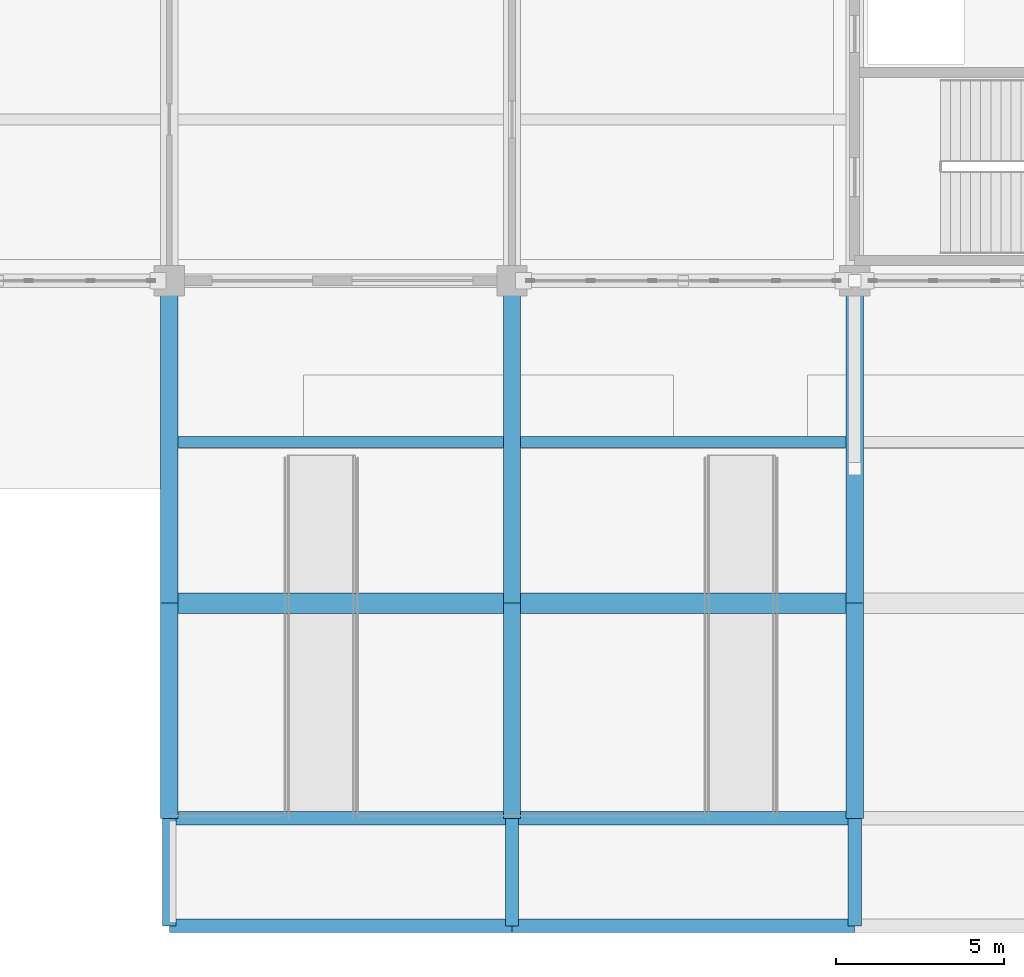
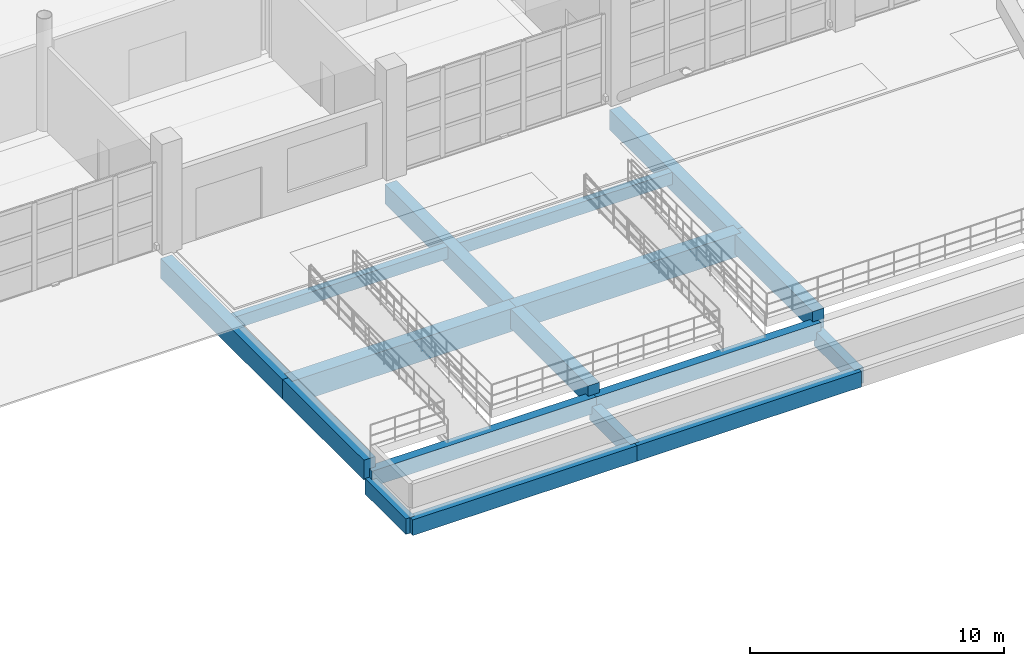
# One storey, part 33 of 124: 17 beams.
"""IFC4 building model written with IfcOpenShell, lengths in metres."""

from ifc_helpers import new_model, si_unit, direction, frame, origin, origin_2d, place, context, subcontext, project, spatial, rectangle, extrude, material, material_profile, profile_set, type_object, element, save


model = new_model("IFC4")

# Units and contexts
model_context = context("Model", 3, precision=1e-05, world=origin(), true_north=direction((0.0, 1.0)))
body_context = subcontext(model_context, "Body", "Model", "MODEL_VIEW")
ifc_project = project(units=[si_unit("LENGTHUNIT", "METRE"), si_unit("AREAUNIT", "SQUARE_METRE"), si_unit("VOLUMEUNIT", "CUBIC_METRE"), si_unit("PLANEANGLEUNIT", "RADIAN"), si_unit("MASSUNIT", "GRAM", prefix="KILO")], contexts=[model_context])

# Site, building, storey
site_placement = place(None, origin())
site = spatial("IfcSite", under=ifc_project, at=site_placement, CompositionType="ELEMENT")
building_placement = place(site_placement, origin())
building = spatial("IfcBuilding", under=site, at=building_placement, Name="Brelvane Convention Centre", CompositionType="ELEMENT")
storey_placement = place(building_placement, origin())
storey = spatial("IfcBuildingStorey", under=building, at=storey_placement, Name="L00", CompositionType="ELEMENT", Elevation=0.0)

# Beams
ifc_material_1 = material(Name="Concrete M50", Category="concrete")
ifc_material_profile_1 = material_profile(ifc_material_1, rectangle(XDim=0.60009765625, YDim=1.10009765625, at=origin_2d()), Name="RC 600x1100")
ifc_profile_set_1 = profile_set([ifc_material_profile_1], Name="Concrete M50")
beam_type_1 = type_object("IfcBeamType", Name="RC Beam B-RC2 (RC 600x1100)", PredefinedType="BEAM", material=ifc_profile_set_1)
for number, where, z_axis, x_axis, name in (
    (1, (102.0, 9.60009765625, -0.949951171875), (1.0, 0.0, 0.0), (0.0, 1.0, 0.0), "L00 Beam 11-12/B"),
    (2, (112.199951171875, 9.60009765625, -0.949951171875), (1.0, 0.0, 0.0), (0.0, 1.0, 0.0), "L00 Beam 12-13/B"),
):
    element("IfcBeam", number, at=place(storey_placement, frame(where, z_axis=z_axis, x_axis=x_axis)), inside=storey, type_object=beam_type_1, Name=name, PredefinedType="BEAM", context=body_context, shape_type="SweptSolid", body=[
        extrude(rectangle(XDim=0.60009765625, YDim=1.10009765625, at=origin_2d()), origin(), (0.0, 0.0, 1.0), 10.199951171875),
    ])
ifc_material_2 = material(Name="Concrete M50", Category="concrete")
ifc_material_profile_2 = material_profile(ifc_material_2, rectangle(XDim=0.52001953125, YDim=0.949951171875, at=origin_2d()), Name="RC 520x950")
ifc_profile_set_2 = profile_set([ifc_material_profile_2], Name="Concrete M50")
beam_type_2 = type_object("IfcBeamType", Name="RC Beam B-RC9 (RC 520x950)", PredefinedType="BEAM", material=ifc_profile_set_2)
for number, where, z_axis, x_axis, name in (
    (3, (102.0, 3.199951171875, -0.875), (0.0, 1.0, 0.0), (-1.0, 0.0, 0.0), "L00 Plaza Step Tie Girder 1"),
    (4, (112.199951171875, 3.199951171875, -0.875), (0.0, 1.0, 0.0), (-1.0, 0.0, 0.0), "L00 Plaza Step Tie Girder 2"),
    (5, (122.39990234375, 3.199951171875, -0.875), (0.0, 1.0, 0.0), (-1.0, 0.0, 0.0), "L00 Plaza Step Tie Girder 3"),
):
    element("IfcBeam", number, at=place(storey_placement, frame(where, z_axis=z_axis, x_axis=x_axis)), inside=storey, type_object=beam_type_2, Name=name, PredefinedType="BEAM", context=body_context, shape_type="SweptSolid", body=[
        extrude(rectangle(XDim=0.52001953125, YDim=0.949951171875, at=origin_2d()), origin(), (0.0, 0.0, 1.0), 6.400146484375),
    ])
for number, where, z_axis, x_axis, name in (
    (6, (102.0, 9.60009765625, -0.875), (0.0, 1.0, 0.0), (-1.0, 0.0, 0.0), "L00 Girder 11/B-C"),
    (7, (112.199951171875, 9.60009765625, -0.875), (0.0, 1.0, 0.0), (-1.0, 0.0, 0.0), "L00 Girder 12/B-C"),
    (8, (122.39990234375, 9.60009765625, -0.875), (0.0, 1.0, 0.0), (-1.0, 0.0, 0.0), "L00 Girder 13/B-C"),
):
    element("IfcBeam", number, at=place(storey_placement, frame(where, z_axis=z_axis, x_axis=x_axis)), inside=storey, type_object=beam_type_2, Name=name, PredefinedType="BEAM", context=body_context, shape_type="SweptSolid", body=[
        extrude(rectangle(XDim=0.52001953125, YDim=0.949951171875, at=origin_2d()), origin(), (0.0, 0.0, 1.0), 9.599853515625),
    ])
ifc_material_3 = material(Name="Concrete M40", Category="concrete")
ifc_material_profile_3 = material_profile(ifc_material_3, rectangle(XDim=0.320068359375, YDim=0.580078125, at=origin_2d()), Name="RC 320x580")
ifc_profile_set_3 = profile_set([ifc_material_profile_3], Name="Concrete M40")
beam_type_3 = type_object("IfcBeamType", Name="RC Joist J-RC3 (RC 320x580)", PredefinedType="JOIST", material=ifc_profile_set_3)
for number, where, z_axis, x_axis, name in (
    (9, (102.260009765625, 14.39990234375, -0.68994140625), (1.0, 0.0, 0.0), (0.0, 1.0, 0.0), "L00 Secondary Joist 11-12/BC"),
    (10, (112.4599609375, 14.39990234375, -0.68994140625), (1.0, 0.0, 0.0), (0.0, 1.0, 0.0), "L00 Secondary Joist 12-13/BC"),
):
    element("IfcBeam", number, at=place(storey_placement, frame(where, z_axis=z_axis, x_axis=x_axis)), inside=storey, type_object=beam_type_3, Name=name, PredefinedType="JOIST", context=body_context, shape_type="SweptSolid", body=[
        extrude(rectangle(XDim=0.320068359375, YDim=0.580078125, at=origin_2d()), origin(), (0.0, 0.0, 1.0), 9.679931640625),
    ])
ifc_material_4 = material(Name="Concrete M40", Category="concrete")
ifc_material_profile_4 = material_profile(ifc_material_4, rectangle(XDim=0.39990234375, YDim=0.75, at=origin_2d()), Name="RC 400x750")
ifc_profile_set_4 = profile_set([ifc_material_profile_4], Name="Concrete M40")
beam_type_4 = type_object("IfcBeamType", Name="RC Spandrel SP-RC1 (RC 400x750)", PredefinedType="SPANDREL", material=ifc_profile_set_4)
beam_1_placement = place(storey_placement, frame((102.0, 0.0, -1.675048828125), z_axis=(0.0, 1.0, 0.0), x_axis=(-1.0, 0.0, 0.0)))
element("IfcBeam", 11, at=beam_1_placement, inside=storey, type_object=beam_type_4, Name="L00 Lower Promenade Rib 1", PredefinedType="SPANDREL", context=body_context, shape_type="SweptSolid", body=[
    extrude(rectangle(XDim=0.39990234375, YDim=0.75, at=origin_2d()), origin(), (0.0, 0.0, 1.0), 3.199951171875),
])
for number, where, z_axis, x_axis, name in (
    (12, (102.0, 3.199951171875, -1.27490234375), (1.0, 0.0, 0.0), (0.0, 1.0, 0.0), "L00 Plaza Step Edge Spandrel 1"),
    (13, (102.0, 0.0, -1.675048828125), (1.0, 0.0, 0.0), (0.0, 1.0, 0.0), "L00 Lower Promenade Edge Spandrel 1"),
):
    element("IfcBeam", number, at=place(storey_placement, frame(where, z_axis=z_axis, x_axis=x_axis)), inside=storey, type_object=beam_type_4, Name=name, PredefinedType="SPANDREL", context=body_context, shape_type="SweptSolid", body=[
        extrude(rectangle(XDim=0.39990234375, YDim=0.75, at=origin_2d()), origin(), (0.0, 0.0, 1.0), 10.199951171875),
    ])
beam_2_placement = place(storey_placement, frame((112.199951171875, 0.0, -1.675048828125), z_axis=(0.0, 1.0, 0.0), x_axis=(-1.0, 0.0, 0.0)))
element("IfcBeam", 14, at=beam_2_placement, inside=storey, type_object=beam_type_4, Name="L00 Lower Promenade Rib 2", PredefinedType="SPANDREL", context=body_context, shape_type="SweptSolid", body=[
    extrude(rectangle(XDim=0.39990234375, YDim=0.75, at=origin_2d()), origin(), (0.0, 0.0, 1.0), 3.199951171875),
])
for number, where, z_axis, x_axis, name in (
    (15, (112.199951171875, 3.199951171875, -1.27490234375), (1.0, 0.0, 0.0), (0.0, 1.0, 0.0), "L00 Plaza Step Edge Spandrel 2"),
    (16, (112.199951171875, 0.0, -1.675048828125), (1.0, 0.0, 0.0), (0.0, 1.0, 0.0), "L00 Lower Promenade Edge Spandrel 2"),
):
    element("IfcBeam", number, at=place(storey_placement, frame(where, z_axis=z_axis, x_axis=x_axis)), inside=storey, type_object=beam_type_4, Name=name, PredefinedType="SPANDREL", context=body_context, shape_type="SweptSolid", body=[
        extrude(rectangle(XDim=0.39990234375, YDim=0.75, at=origin_2d()), origin(), (0.0, 0.0, 1.0), 10.199951171875),
    ])
beam_3_placement = place(storey_placement, frame((122.39990234375, 0.0, -1.675048828125), z_axis=(0.0, 1.0, 0.0), x_axis=(-1.0, 0.0, 0.0)))
element("IfcBeam", 17, at=beam_3_placement, inside=storey, type_object=beam_type_4, Name="L00 Lower Promenade Rib 3", PredefinedType="SPANDREL", context=body_context, shape_type="SweptSolid", body=[
    extrude(rectangle(XDim=0.39990234375, YDim=0.75, at=origin_2d()), origin(), (0.0, 0.0, 1.0), 3.199951171875),
])

save(model, "model.ifc")
